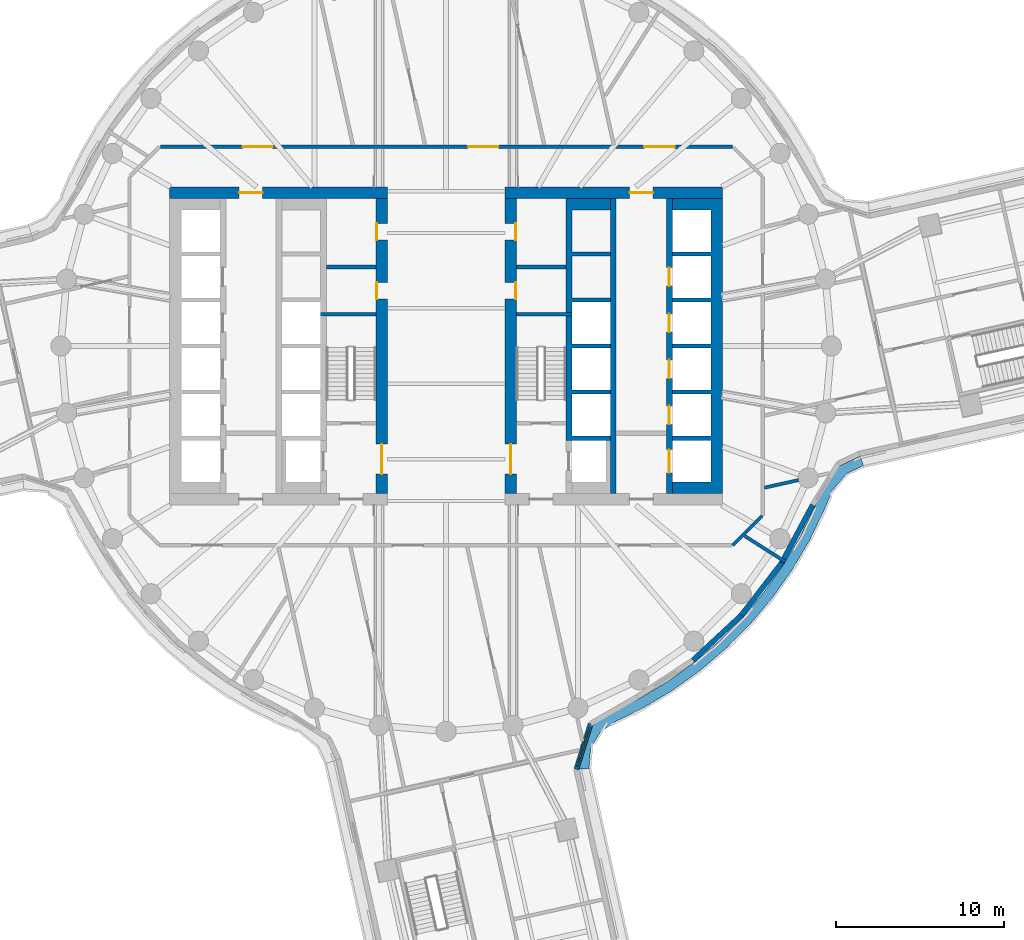
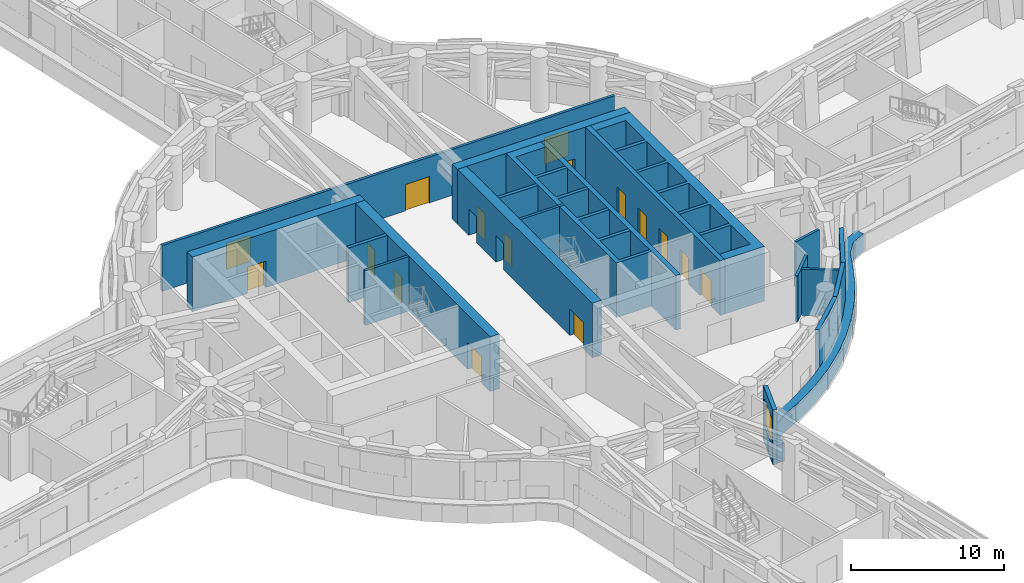
# One storey, part 10 of 22: 20 walls, 16 doors, 1 member, 1 window, 17 openings.
"""IFC4 building model written with IfcOpenShell, lengths in metres."""

import ifcopenshell
import ifcopenshell.guid

model = None  # the IFC model being written
_history = None  # IfcOwnerHistory: only IFC2X3 demands one
_inside = {}  # id of a spatial element -> (the spatial element, [elements in it])
_under = {}  # id of a project, library or spatial element -> (it, [spatial elements below it])
_declared = {}  # id of a project -> (the project, [libraries it declares])
_typed = {}  # id of a type object -> (the type object, [elements of that type])
_made_of = {}  # id of a material, layer set ... -> (it, [elements and type objects made of it])


def new_model(schema):
    """Start an empty IFC model of exactly this schema.

    Asked for "IFC4X3", IfcOpenShell would pick the latest addendum, in which some entities
    have other attributes; the version numbers below select the first issue.
    IFC2X3 requires an IfcOwnerHistory on every rooted entity: one is made here for all.
    """
    global model, _history
    if schema == "IFC4X3":
        model = ifcopenshell.file(schema_version=(4, 3, 0, 0))
    else:
        model = ifcopenshell.file(schema=schema)
    _inside.clear()
    _under.clear()
    _declared.clear()
    _typed.clear()
    _made_of.clear()
    _history = None
    if model.schema == "IFC2X3":
        org = make("IfcOrganization", Name="unknown")
        user = make(
            "IfcPersonAndOrganization",
            ThePerson=make("IfcPerson", FamilyName="unknown"),
            TheOrganization=org,
        )
        app = make(
            "IfcApplication",
            ApplicationDeveloper=org,
            Version="unknown",
            ApplicationFullName="unknown",
            ApplicationIdentifier="unknown",
        )
        _history = make(
            "IfcOwnerHistory",
            OwningUser=user,
            OwningApplication=app,
            ChangeAction="ADDED",
            CreationDate=0,
        )
    return model


def make(cls, **values):
    """One entity of the class cls with the attributes given. An attribute that is None is left unset."""
    return model.create_entity(
        cls, **{name: value for name, value in values.items() if value is not None}
    )


def rooted(cls, **values):
    """An entity with a GlobalId (a new one), such as an element, a storey or a relation."""
    return make(cls, GlobalId=ifcopenshell.guid.new(), OwnerHistory=_history, **values)


def si_unit(unit_type, name, prefix=None):
    """IfcSIUnit, for example si_unit("LENGTHUNIT", "METRE", prefix="MILLI")."""
    return make("IfcSIUnit", UnitType=unit_type, Prefix=prefix, Name=name)


def assignment(units):
    """IfcUnitAssignment: the units of a project."""
    return None if units is None else make("IfcUnitAssignment", Units=units)


def point(xyz):
    """IfcCartesianPoint."""
    return None if xyz is None else make("IfcCartesianPoint", Coordinates=xyz)


def direction(xyz):
    """IfcDirection."""
    return None if xyz is None else make("IfcDirection", DirectionRatios=xyz)


def frame(location, z_axis=None, x_axis=None):
    """IfcAxis2Placement3D, a coordinate frame: its origin and axes. An axis left out is left unset."""
    return make(
        "IfcAxis2Placement3D",
        Location=point(location),
        Axis=direction(z_axis),
        RefDirection=direction(x_axis),
    )


def frame_2d(location, x_axis=None):
    """IfcAxis2Placement2D, a coordinate frame in the plane: its origin and x axis."""
    return make(
        "IfcAxis2Placement2D", Location=point(location), RefDirection=direction(x_axis)
    )


def origin():
    """The frame at (0, 0, 0) with its axes left unset."""
    return frame((0.0, 0.0, 0.0))


def place(relative_to, where):
    """IfcLocalPlacement: puts the frame where relative to a parent placement (None: the world)."""
    return make(
        "IfcLocalPlacement", PlacementRelTo=relative_to, RelativePlacement=where
    )


def context(
    kind, dimensions, precision=None, world=None, true_north=None, identifier=None
):
    """IfcGeometricRepresentationContext, for example the 3D "Model" context."""
    return make(
        "IfcGeometricRepresentationContext",
        ContextIdentifier=identifier,
        ContextType=kind,
        CoordinateSpaceDimension=dimensions,
        Precision=precision,
        WorldCoordinateSystem=world,
        TrueNorth=true_north,
    )


def subcontext(parent, identifier, kind, view, scale=None):
    """IfcGeometricRepresentationSubContext, for example "Body" below "Model"."""
    return make(
        "IfcGeometricRepresentationSubContext",
        ContextIdentifier=identifier,
        ContextType=kind,
        ParentContext=parent,
        TargetScale=scale,
        TargetView=view,
    )


def project(units=None, contexts=None):
    """IfcProject with its units and contexts."""
    return rooted(
        "IfcProject",
        Name="project",
        RepresentationContexts=contexts,
        UnitsInContext=assignment(units),
    )


def spatial(cls, under=None, at=None, **own):
    """A site, building, storey or space (cls), placed at a placement, below another one or the project."""
    s = rooted(cls, ObjectPlacement=at, **own)
    if under is not None:
        _under.setdefault(under.id(), (under, []))[1].append(s)
    return s


def polyline(points):
    """IfcPolyline through the points."""
    return make("IfcPolyline", Points=[point(p) for p in points])


def profile(cls, at=None, kind="AREA", **sizes):
    """A parametric profile (cls). Its sizes go by their IFC names, for example OverallWidth=200.0."""
    return make(cls, ProfileType=kind, Position=at, **sizes)


def rectangle(**sizes):
    """IfcRectangleProfileDef."""
    return profile("IfcRectangleProfileDef", **sizes)


def outline(outer, holes=None, kind="AREA"):
    """IfcArbitraryClosedProfileDef: a profile drawn as a closed curve; with holes, ...WithVoids."""
    if holes is None:
        return make("IfcArbitraryClosedProfileDef", ProfileType=kind, OuterCurve=outer)
    return make(
        "IfcArbitraryProfileDefWithVoids",
        ProfileType=kind,
        OuterCurve=outer,
        InnerCurves=holes,
    )


def extrude(swept, where, along, depth):
    """IfcExtrudedAreaSolid: the profile swept, set in the frame where, extruded along a direction by depth."""
    return make(
        "IfcExtrudedAreaSolid",
        SweptArea=swept,
        Position=where,
        ExtrudedDirection=direction(along),
        Depth=depth,
    )


def shape(context_of_items, identifier, shape_type, items):
    """IfcShapeRepresentation: the items that make up one representation, for example the "Body"."""
    return make(
        "IfcShapeRepresentation",
        ContextOfItems=context_of_items,
        RepresentationIdentifier=identifier,
        RepresentationType=shape_type,
        Items=items,
    )


def material(Name=None, Category=None):
    """IfcMaterial."""
    return make("IfcMaterial", Name=Name, Category=Category)


def layer(
    of_material, thickness, ventilated=None, Name=None, Category=None, Priority=None
):
    """IfcMaterialLayer: one layer of a wall or slab, of a material (None: an air gap)."""
    return make(
        "IfcMaterialLayer",
        Material=of_material,
        LayerThickness=thickness,
        IsVentilated=ventilated,
        Name=Name,
        Category=Category,
        Priority=Priority,
    )


def layer_set(layers, Name=None):
    """IfcMaterialLayerSet."""
    return make("IfcMaterialLayerSet", MaterialLayers=layers, LayerSetName=Name)


def made_of(thing, what):
    """Note that an element or type object is made of a material, layer set ...; save() writes the relation."""
    if what is not None:
        _made_of.setdefault(what.id(), (what, []))[1].append(thing)
    return thing


def type_object(cls, material=None, **own):
    """A type object (cls), such as IfcWallType, which elements share."""
    return made_of(rooted(cls, **own), material)


def element(
    cls,
    number,
    at=None,
    inside=None,
    cuts=None,
    type_object=None,
    material=None,
    context=None,
    identifier="Body",
    shape_type=None,
    held_by="IfcProductDefinitionShape",
    body=None,
    shapes=None,
    **own,
):
    """One element of the class cls, such as IfcWall. Its Tag is "e" and its number.

    at: its placement. inside: the storey or other place that contains it. cuts: it is an
    opening in that element (IfcRelVoidsElement). A single representation is given by context,
    identifier, shape_type and body (its items); several are given by shapes. held_by: the class
    of the entity that holds the representations. save() writes the other relations.
    """
    e = rooted(cls, Tag="e%d" % number, ObjectPlacement=at, **own)
    if body is not None:
        shapes = [shape(context, identifier, shape_type, body)]
    if shapes is not None:
        e.Representation = make(held_by, Representations=shapes)
    if inside is not None:
        _inside.setdefault(inside.id(), (inside, []))[1].append(e)
    if cuts is not None:
        rooted(
            "IfcRelVoidsElement", RelatingBuildingElement=cuts, RelatedOpeningElement=e
        )
    if type_object is not None:
        _typed.setdefault(type_object.id(), (type_object, []))[1].append(e)
    return made_of(e, material)


def fill(opening, filler):
    """IfcRelFillsElement: the door or window that sits in an opening."""
    return rooted(
        "IfcRelFillsElement",
        RelatingOpeningElement=opening,
        RelatedBuildingElement=filler,
    )


def aggregate(whole, parts):
    """IfcRelAggregates: a whole, such as a stair, and the parts it consists of."""
    return rooted("IfcRelAggregates", RelatingObject=whole, RelatedObjects=parts)


def save(model, path):
    """Write the relations noted so far, then the file.

    IfcRelAggregates (storeys below a building ...), IfcRelContainedInSpatialStructure (elements
    in a storey), IfcRelDefinesByType, IfcRelAssociatesMaterial and IfcRelDeclares: one each for
    every whole, place, type object, material and project.
    """
    for whole, parts in _under.values():
        aggregate(whole, parts)
    for where, things in _inside.values():
        rooted(
            "IfcRelContainedInSpatialStructure",
            RelatedElements=things,
            RelatingStructure=where,
        )
    for kind, things in _typed.values():
        rooted("IfcRelDefinesByType", RelatedObjects=things, RelatingType=kind)
    for what, things in _made_of.values():
        rooted("IfcRelAssociatesMaterial", RelatedObjects=things, RelatingMaterial=what)
    for by, libraries in _declared.values():
        rooted("IfcRelDeclares", RelatingContext=by, RelatedDefinitions=libraries)
    model.write(path)


model = new_model("IFC4")

# Units and contexts
model_context = context("Model", 3, precision=1e-05, world=origin(), true_north=direction((0.0, 1.0)))
body_context = subcontext(model_context, "Body", "Model", "MODEL_VIEW")
ifc_project = project(units=[si_unit("LENGTHUNIT", "METRE"), si_unit("AREAUNIT", "SQUARE_METRE"), si_unit("VOLUMEUNIT", "CUBIC_METRE"), si_unit("PLANEANGLEUNIT", "RADIAN"), si_unit("MASSUNIT", "GRAM", prefix="KILO")], contexts=[model_context])

# Member
ifc_material_1 = material(Name="Aluminium and insulated spandrel panel", Category="aluminium")
member_type = type_object("IfcMemberType", Name="Floor-edge blade transom", PredefinedType="USERDEFINED", material=ifc_material_1)
site_placement = place(None, origin())
building_placement = place(site_placement, origin())
storey_placement = place(building_placement, frame((0.0, 0.0, 79.0)))
member_placement = place(storey_placement, origin())
member = element("IfcMember", 1, at=member_placement, type_object=member_type, Name="CWT-L18-06", ObjectType="TRANSOM", PredefinedType="USERDEFINED", context=body_context, shape_type="SweptSolid", body=[
    extrude(outline(polyline([(7.92236328125, -25.2578125), (8.03955078125, -23.802978515625), (8.73681640625, -22.65380859375), (9.796142578125, -21.902587890625), (11.511474609375, -21.054443359375), (13.2109375, -20.031982421875), (14.820068359375, -18.87255859375), (16.327880859375, -17.584228515625), (17.72412109375, -16.17578125), (18.99951171875, -14.656982421875), (20.14501953125, -13.0380859375), (21.15283203125, -11.329833984375), (22.01611328125, -9.54443359375), (22.52099609375, -8.33203125), (23.512451171875, -7.135009765625), (24.71337890625, -6.567626953125), (24.9091796875, -7.138671875), (23.889404296875, -7.62060546875), (23.04052734375, -8.645751953125), (22.5634765625, -9.79052734375), (21.68212890625, -11.613525390625), (20.64892578125, -13.3642578125), (19.474853515625, -15.023681640625), (18.167724609375, -16.580810546875), (16.736572265625, -18.0244140625), (15.19091796875, -19.344970703125), (13.54150390625, -20.533203125), (11.799560546875, -21.581298828125), (10.1044921875, -22.41943359375), (9.185302734375, -23.0712890625), (8.626220703125, -23.992919921875), (8.527587890625, -25.21630859375), (7.92236328125, -25.2578125)])), origin(), (0.0, 0.0, 1.0), 1.39990234375),
])

# Site, building, storey
site = spatial("IfcSite", under=ifc_project, at=site_placement, CompositionType="ELEMENT")
building = spatial("IfcBuilding", under=site, at=building_placement, Name="Tamarind Cross Interchange Tower", CompositionType="ELEMENT")
storey = spatial("IfcBuildingStorey", under=building, at=storey_placement, Name="L18", CompositionType="ELEMENT", Elevation=79.0)

# Wall, opening, door
ifc_material_2 = material(Name="Concrete C80", Category="concrete")
ifc_layer_1 = layer(ifc_material_2, 0.699951171875)
ifc_layer_set_1 = layer_set([ifc_layer_1], Name="Concrete C80")
wall_type_1 = type_object("IfcWallType", Name="Core wall 700 mm Concrete C80", PredefinedType="SHEAR", material=ifc_layer_set_1)
wall_1_placement = place(storey_placement, frame((-16.5, 9.14990234375, 0.0), z_axis=(0.0, 0.0, 1.0), x_axis=(1.0, 0.0, 0.0)))
wall_1 = element("IfcWall", 2, at=wall_1_placement, inside=storey, type_object=wall_type_1, Name="Core wall CWL-L18-W-NE", PredefinedType="SHEAR", context=body_context, shape_type="SweptSolid", body=[
    extrude(rectangle(XDim=13.0, YDim=0.699951171875, at=frame_2d((6.5, 0.0))), origin(), (0.0, 0.0, 1.0), 4.360107421875),
])
opening_1_placement = place(wall_1_placement, frame((4.14990234375, 0.0, 0.0)))
opening_1 = element("IfcOpeningElement", 3, at=opening_1_placement, cuts=wall_1, Name="Opening DCW31", PredefinedType="OPENING", context=body_context, shape_type="SweptSolid", body=[
    extrude(rectangle(XDim=1.39990234375, YDim=2.10009765625, at=frame_2d((0.699951171875, 1.050048828125))), frame((0.0, 0.35986328125, 0.0), z_axis=(0.0, -1.0, 0.0), x_axis=(1.0, 0.0, 0.0)), (0.0, 0.0, 1.0), 0.719970703125),
])
ifc_material_3 = material(Name="Steel, fire-resisting", Category="steel")
door_type_1 = type_object("IfcDoorType", Name="Core fire door 1400 x 2100 FD90", OperationType="SINGLE_SWING_LEFT", PredefinedType="DOOR", material=ifc_material_3)
door_1_placement = place(opening_1_placement, origin())
door_1 = element("IfcDoor", 4, at=door_1_placement, inside=storey, type_object=door_type_1, Name="L18 lift hall exit door", OperationType="SINGLE_SWING_LEFT", OverallHeight=2.10009765625, OverallWidth=1.39990234375, PredefinedType="DOOR", context=body_context, shape_type="SweptSolid", body=[
    extrude(rectangle(XDim=1.39990234375, YDim=2.10009765625, at=frame_2d((0.699951171875, 1.050048828125))), frame((0.0, 0.02490234375, 0.0), z_axis=(0.0, -1.0, 0.0), x_axis=(1.0, 0.0, 0.0)), (0.0, 0.0, 1.0), 0.050048828125),
])
fill(opening_1, door_1)

# Wall, openings, doors
wall_2_placement = place(storey_placement, frame((-3.85009765625, -8.800048828125, 0.0), z_axis=(0.0, 0.0, 1.0), x_axis=(0.0, 1.0, 0.0)))
wall_2 = element("IfcWall", 5, at=wall_2_placement, inside=storey, type_object=wall_type_1, Name="Core wall CWL-L18-W-IN", PredefinedType="SHEAR", context=body_context, shape_type="SweptSolid", body=[
    extrude(rectangle(XDim=17.60009765625, YDim=0.699951171875, at=frame_2d((8.800048828125, 0.0))), origin(), (0.0, 0.0, 1.0), 4.360107421875),
])
opening_2_placement = place(wall_2_placement, frame((1.14990234375, 0.0, 0.0)))
opening_2 = element("IfcOpeningElement", 6, at=opening_2_placement, cuts=wall_2, Name="Opening DCW4", PredefinedType="OPENING", context=body_context, shape_type="SweptSolid", body=[
    extrude(rectangle(XDim=1.800048828125, YDim=2.10009765625, at=frame_2d((0.89990234375, 1.050048828125))), frame((0.0, 0.35986328125, 0.0), z_axis=(0.0, -1.0, 0.0), x_axis=(1.0, 0.0, 0.0)), (0.0, 0.0, 1.0), 0.719970703125),
])
opening_3_placement = place(wall_2_placement, frame((11.597412109375, 0.0, 0.0)))
opening_3 = element("IfcOpeningElement", 7, at=opening_3_placement, cuts=wall_2, Name="Opening DCW5", PredefinedType="OPENING", context=body_context, shape_type="SweptSolid", body=[
    extrude(rectangle(XDim=1.0, YDim=2.10009765625, at=frame_2d((0.5, 1.050048828125))), frame((0.0, 0.35986328125, 0.0), z_axis=(0.0, -1.0, 0.0), x_axis=(1.0, 0.0, 0.0)), (0.0, 0.0, 1.0), 0.719970703125),
])
opening_4_placement = place(wall_2_placement, frame((15.12255859375, 0.0, 0.0)))
opening_4 = element("IfcOpeningElement", 8, at=opening_4_placement, cuts=wall_2, Name="Opening DCW5", PredefinedType="OPENING", context=body_context, shape_type="SweptSolid", body=[
    extrude(rectangle(XDim=1.0, YDim=2.10009765625, at=frame_2d((0.5, 1.050048828125))), frame((0.0, 0.35986328125, 0.0), z_axis=(0.0, -1.0, 0.0), x_axis=(1.0, 0.0, 0.0)), (0.0, 0.0, 1.0), 0.719970703125),
])
door_type_2 = type_object("IfcDoorType", Name="Core fire door 1000 x 2100 FD90", OperationType="SINGLE_SWING_LEFT", PredefinedType="DOOR", material=ifc_material_3)
door_2_placement = place(opening_3_placement, origin())
door_2 = element("IfcDoor", 9, at=door_2_placement, inside=storey, type_object=door_type_2, Name="L18 plant store door", OperationType="SINGLE_SWING_LEFT", OverallHeight=2.10009765625, OverallWidth=1.0, PredefinedType="DOOR", context=body_context, shape_type="SweptSolid", body=[
    extrude(rectangle(XDim=1.0, YDim=2.10009765625, at=frame_2d((0.5, 1.050048828125))), frame((0.0, 0.3251953125, 0.0), z_axis=(0.0, -1.0, 0.0), x_axis=(1.0, 0.0, 0.0)), (0.0, 0.0, 1.0), 0.050048828125),
])
fill(opening_3, door_2)
door_3_placement = place(opening_4_placement, origin())
door_3 = element("IfcDoor", 10, at=door_3_placement, inside=storey, type_object=door_type_2, Name="L18 break tank and pump room door", OperationType="SINGLE_SWING_LEFT", OverallHeight=2.10009765625, OverallWidth=1.0, PredefinedType="DOOR", context=body_context, shape_type="SweptSolid", body=[
    extrude(rectangle(XDim=1.0, YDim=2.10009765625, at=frame_2d((0.5, 1.050048828125))), frame((0.0, 0.3251953125, 0.0), z_axis=(0.0, -1.0, 0.0), x_axis=(1.0, 0.0, 0.0)), (0.0, 0.0, 1.0), 0.050048828125),
])
fill(opening_4, door_3)
door_type_3 = type_object("IfcDoorType", Name="Core fire door 1800 x 2100 FD90", OperationType="SINGLE_SWING_LEFT", PredefinedType="DOOR", material=ifc_material_3)
door_4_placement = place(opening_2_placement, origin())
door_4 = element("IfcDoor", 11, at=door_4_placement, inside=storey, type_object=door_type_3, Name="L18 firefighting lobby door", OperationType="SINGLE_SWING_LEFT", OverallHeight=2.10009765625, OverallWidth=1.800048828125, PredefinedType="DOOR", context=body_context, shape_type="SweptSolid", body=[
    extrude(rectangle(XDim=1.800048828125, YDim=2.10009765625, at=frame_2d((0.89990234375, 1.050048828125))), frame((0.0, 0.02490234375, 0.0), z_axis=(0.0, -1.0, 0.0), x_axis=(1.0, 0.0, 0.0)), (0.0, 0.0, 1.0), 0.050048828125),
])
fill(opening_2, door_4)

# Wall
wall_3_placement = place(storey_placement, origin())
element("IfcWall", 12, at=wall_3_placement, inside=storey, type_object=wall_type_1, Name="Core wall CWL-L18-E-A", PredefinedType="SHEAR", context=body_context, shape_type="SweptSolid", body=[
    extrude(outline(polyline([(13.5, -8.800048828125), (15.800048828125, -8.800048828125), (16.5, -8.800048828125), (16.5, 8.800048828125), (15.800048828125, 8.800048828125), (13.5, 8.800048828125), (13.5, 8.125), (15.800048828125, 8.125), (15.800048828125, 5.625), (13.5, 5.625), (13.5, 5.375), (15.800048828125, 5.375), (15.800048828125, 2.875), (13.5, 2.875), (13.5, 2.625), (15.800048828125, 2.625), (15.800048828125, 0.125), (13.5, 0.125), (13.5, -0.125), (15.800048828125, -0.125), (15.800048828125, -2.625), (13.5, -2.625), (13.5, -2.875), (15.800048828125, -2.875), (15.800048828125, -5.375), (13.5, -5.375), (13.5, -5.625), (15.800048828125, -5.625), (15.800048828125, -8.125), (13.5, -8.125), (13.5, -8.800048828125)])), origin(), (0.0, 0.0, 1.0), 4.360107421875),
])

# Wall, opening, door
wall_4_placement = place(storey_placement, frame((16.5, 9.14990234375, 0.0), z_axis=(0.0, 0.0, 1.0), x_axis=(-1.0, 0.0, 0.0)))
wall_4 = element("IfcWall", 13, at=wall_4_placement, inside=storey, type_object=wall_type_1, Name="Core wall CWL-L18-E-NE", PredefinedType="SHEAR", context=body_context, shape_type="SweptSolid", body=[
    extrude(rectangle(XDim=13.0, YDim=0.699951171875, at=frame_2d((6.5, 0.0))), origin(), (0.0, 0.0, 1.0), 4.360107421875),
])
opening_5_placement = place(wall_4_placement, frame((4.14990234375, 0.0, 0.0)))
opening_5 = element("IfcOpeningElement", 14, at=opening_5_placement, cuts=wall_4, Name="Opening DCE31", PredefinedType="OPENING", context=body_context, shape_type="SweptSolid", body=[
    extrude(rectangle(XDim=1.39990234375, YDim=2.10009765625, at=frame_2d((0.699951171875, 1.050048828125))), frame((0.0, 0.35986328125, 0.0), z_axis=(0.0, -1.0, 0.0), x_axis=(1.0, 0.0, 0.0)), (0.0, 0.0, 1.0), 0.719970703125),
])
door_5_placement = place(opening_5_placement, origin())
door_5 = element("IfcDoor", 15, at=door_5_placement, inside=storey, type_object=door_type_1, Name="L18 lift hall exit door", OperationType="SINGLE_SWING_LEFT", OverallHeight=2.10009765625, OverallWidth=1.39990234375, PredefinedType="DOOR", context=body_context, shape_type="SweptSolid", body=[
    extrude(rectangle(XDim=1.39990234375, YDim=2.10009765625, at=frame_2d((0.699951171875, 1.050048828125))), frame((0.0, 0.02490234375, 0.0), z_axis=(0.0, -1.0, 0.0), x_axis=(1.0, 0.0, 0.0)), (0.0, 0.0, 1.0), 0.050048828125),
])
fill(opening_5, door_5)

# Wall, openings, doors
wall_5_placement = place(storey_placement, frame((3.85009765625, -8.800048828125, 0.0), z_axis=(0.0, 0.0, 1.0), x_axis=(0.0, 1.0, 0.0)))
wall_5 = element("IfcWall", 16, at=wall_5_placement, inside=storey, type_object=wall_type_1, Name="Core wall CWL-L18-E-IN", PredefinedType="SHEAR", context=body_context, shape_type="SweptSolid", body=[
    extrude(rectangle(XDim=17.60009765625, YDim=0.699951171875, at=frame_2d((8.800048828125, 0.0))), origin(), (0.0, 0.0, 1.0), 4.360107421875),
])
opening_6_placement = place(wall_5_placement, frame((1.14990234375, 0.0, 0.0)))
opening_6 = element("IfcOpeningElement", 17, at=opening_6_placement, cuts=wall_5, Name="Opening DCE4", PredefinedType="OPENING", context=body_context, shape_type="SweptSolid", body=[
    extrude(rectangle(XDim=1.800048828125, YDim=2.10009765625, at=frame_2d((0.89990234375, 1.050048828125))), frame((0.0, 0.35986328125, 0.0), z_axis=(0.0, -1.0, 0.0), x_axis=(1.0, 0.0, 0.0)), (0.0, 0.0, 1.0), 0.719970703125),
])
opening_7_placement = place(wall_5_placement, frame((11.597412109375, 0.0, 0.0)))
opening_7 = element("IfcOpeningElement", 18, at=opening_7_placement, cuts=wall_5, Name="Opening DCE5", PredefinedType="OPENING", context=body_context, shape_type="SweptSolid", body=[
    extrude(rectangle(XDim=1.0, YDim=2.10009765625, at=frame_2d((0.5, 1.050048828125))), frame((0.0, 0.35986328125, 0.0), z_axis=(0.0, -1.0, 0.0), x_axis=(1.0, 0.0, 0.0)), (0.0, 0.0, 1.0), 0.719970703125),
])
opening_8_placement = place(wall_5_placement, frame((15.12255859375, 0.0, 0.0)))
opening_8 = element("IfcOpeningElement", 19, at=opening_8_placement, cuts=wall_5, Name="Opening DCE5", PredefinedType="OPENING", context=body_context, shape_type="SweptSolid", body=[
    extrude(rectangle(XDim=1.0, YDim=2.10009765625, at=frame_2d((0.5, 1.050048828125))), frame((0.0, 0.35986328125, 0.0), z_axis=(0.0, -1.0, 0.0), x_axis=(1.0, 0.0, 0.0)), (0.0, 0.0, 1.0), 0.719970703125),
])
door_6_placement = place(opening_7_placement, origin())
door_6 = element("IfcDoor", 20, at=door_6_placement, inside=storey, type_object=door_type_2, Name="L18 plant store door", OperationType="SINGLE_SWING_LEFT", OverallHeight=2.10009765625, OverallWidth=1.0, PredefinedType="DOOR", context=body_context, shape_type="SweptSolid", body=[
    extrude(rectangle(XDim=1.0, YDim=2.10009765625, at=frame_2d((0.5, 1.050048828125))), frame((0.0, -0.27490234375, 0.0), z_axis=(0.0, -1.0, 0.0), x_axis=(1.0, 0.0, 0.0)), (0.0, 0.0, 1.0), 0.050048828125),
])
fill(opening_7, door_6)
door_7_placement = place(opening_8_placement, origin())
door_7 = element("IfcDoor", 21, at=door_7_placement, inside=storey, type_object=door_type_2, Name="L18 pump store door", OperationType="SINGLE_SWING_LEFT", OverallHeight=2.10009765625, OverallWidth=1.0, PredefinedType="DOOR", context=body_context, shape_type="SweptSolid", body=[
    extrude(rectangle(XDim=1.0, YDim=2.10009765625, at=frame_2d((0.5, 1.050048828125))), frame((0.0, -0.27490234375, 0.0), z_axis=(0.0, -1.0, 0.0), x_axis=(1.0, 0.0, 0.0)), (0.0, 0.0, 1.0), 0.050048828125),
])
fill(opening_8, door_7)
door_8_placement = place(opening_6_placement, origin())
door_8 = element("IfcDoor", 22, at=door_8_placement, inside=storey, type_object=door_type_3, Name="L18 firefighting lobby door", OperationType="SINGLE_SWING_LEFT", OverallHeight=2.10009765625, OverallWidth=1.800048828125, PredefinedType="DOOR", context=body_context, shape_type="SweptSolid", body=[
    extrude(rectangle(XDim=1.800048828125, YDim=2.10009765625, at=frame_2d((0.89990234375, 1.050048828125))), frame((0.0, 0.02490234375, 0.0), z_axis=(0.0, -1.0, 0.0), x_axis=(1.0, 0.0, 0.0)), (0.0, 0.0, 1.0), 0.050048828125),
])
fill(opening_6, door_8)

# Walls
ifc_layer_2 = layer(ifc_material_2, 0.199951171875)
ifc_layer_set_2 = layer_set([ifc_layer_2], Name="Concrete C80")
wall_type_2 = type_object("IfcWallType", Name="Core web wall 200 mm Concrete C80", PredefinedType="SHEAR", material=ifc_layer_set_2)
for number, where, z_axis, x_axis, name in (
    (23, (-7.5, 1.89990234375, 0.0), (0.0, 0.0, 1.0), (1.0, 0.0, 0.0), "Core wall CWL-L18-W-BD"),
    (24, (7.5, 1.89990234375, 0.0), (0.0, 0.0, 1.0), (-1.0, 0.0, 0.0), "Core wall CWL-L18-E-BD"),
):
    element("IfcWall", number, at=place(storey_placement, frame(where, z_axis=z_axis, x_axis=x_axis)), inside=storey, type_object=wall_type_2, Name=name, PredefinedType="SHEAR", context=body_context, shape_type="SweptSolid", body=[
        extrude(rectangle(XDim=3.300048828125, YDim=0.199951171875, at=frame_2d((1.64990234375, 0.0))), origin(), (0.0, 0.0, 1.0), 4.360107421875),
    ])
ifc_layer_3 = layer(ifc_material_2, 0.35009765625)
ifc_layer_set_3 = layer_set([ifc_layer_3], Name="Concrete C80")
wall_type_3 = type_object("IfcWallType", Name="Core web wall 350 mm Concrete C80", PredefinedType="SHEAR", material=ifc_layer_set_3)
wall_6_placement = place(storey_placement, origin())
element("IfcWall", 25, at=wall_6_placement, inside=storey, type_object=wall_type_3, Name="Core wall CWL-L18-E-BN", PredefinedType="SHEAR", context=body_context, shape_type="SweptSolid", body=[
    extrude(outline(polyline([(9.800048828125, -5.375), (7.5, -5.375), (7.5, -2.875), (9.800048828125, -2.875), (9.800048828125, -2.625), (7.5, -2.625), (7.5, -0.125), (9.800048828125, -0.125), (9.800048828125, 0.125), (7.5, 0.125), (7.5, 2.625), (9.800048828125, 2.625), (9.800048828125, 2.875), (7.5, 2.875), (7.5, 5.375), (9.800048828125, 5.375), (9.800048828125, 5.625), (7.5, 5.625), (7.5, 8.125), (9.800048828125, 8.125), (9.800048828125, 8.800048828125), (7.5, 8.800048828125), (7.14990234375, 8.800048828125), (7.14990234375, -5.625), (7.5, -5.625), (9.800048828125, -5.625), (9.800048828125, -5.375)])), origin(), (0.0, 0.0, 1.0), 4.360107421875),
])

# Wall, openings, doors
wall_7_placement = place(storey_placement, frame((13.324951171875, -8.800048828125, 0.0), z_axis=(0.0, 0.0, 1.0), x_axis=(0.0, 1.0, 0.0)))
wall_7 = element("IfcWall", 26, at=wall_7_placement, inside=storey, type_object=wall_type_3, Name="Core wall CWL-L18-E-LA", PredefinedType="SHEAR", context=body_context, shape_type="SweptSolid", body=[
    extrude(rectangle(XDim=17.60009765625, YDim=0.35009765625, at=frame_2d((8.800048828125, 0.0))), origin(), (0.0, 0.0, 1.0), 4.360107421875),
])
opening_9_placement = place(wall_7_placement, frame((1.22509765625, 0.0, 0.0)))
opening_9 = element("IfcOpeningElement", 27, at=opening_9_placement, cuts=wall_7, Name="Opening LD13L18", PredefinedType="OPENING", context=body_context, shape_type="SweptSolid", body=[
    extrude(rectangle(XDim=1.39990234375, YDim=2.10009765625, at=frame_2d((0.699951171875, 1.050048828125))), frame((0.0, 0.18505859375, 0.0), z_axis=(0.0, -1.0, 0.0), x_axis=(1.0, 0.0, 0.0)), (0.0, 0.0, 1.0), 0.3701171875),
])
opening_10_placement = place(wall_7_placement, frame((4.125, 0.0, 0.0)))
opening_10 = element("IfcOpeningElement", 28, at=opening_10_placement, cuts=wall_7, Name="Opening LD14L18", PredefinedType="OPENING", context=body_context, shape_type="SweptSolid", body=[
    extrude(rectangle(XDim=1.10009765625, YDim=2.10009765625, at=frame_2d((0.550048828125, 1.050048828125))), frame((0.0, 0.18505859375, 0.0), z_axis=(0.0, -1.0, 0.0), x_axis=(1.0, 0.0, 0.0)), (0.0, 0.0, 1.0), 0.3701171875),
])
opening_11_placement = place(wall_7_placement, frame((6.875, 0.0, 0.0)))
opening_11 = element("IfcOpeningElement", 29, at=opening_11_placement, cuts=wall_7, Name="Opening LD15L18", PredefinedType="OPENING", context=body_context, shape_type="SweptSolid", body=[
    extrude(rectangle(XDim=1.10009765625, YDim=2.10009765625, at=frame_2d((0.550048828125, 1.050048828125))), frame((0.0, 0.18505859375, 0.0), z_axis=(0.0, -1.0, 0.0), x_axis=(1.0, 0.0, 0.0)), (0.0, 0.0, 1.0), 0.3701171875),
])
opening_12_placement = place(wall_7_placement, frame((9.625, 0.0, 0.0)))
opening_12 = element("IfcOpeningElement", 30, at=opening_12_placement, cuts=wall_7, Name="Opening LD16L18", PredefinedType="OPENING", context=body_context, shape_type="SweptSolid", body=[
    extrude(rectangle(XDim=1.10009765625, YDim=2.10009765625, at=frame_2d((0.550048828125, 1.050048828125))), frame((0.0, 0.18505859375, 0.0), z_axis=(0.0, -1.0, 0.0), x_axis=(1.0, 0.0, 0.0)), (0.0, 0.0, 1.0), 0.3701171875),
])
opening_13_placement = place(wall_7_placement, frame((12.375, 0.0, 0.0)))
opening_13 = element("IfcOpeningElement", 31, at=opening_13_placement, cuts=wall_7, Name="Opening LD17L18", PredefinedType="OPENING", context=body_context, shape_type="SweptSolid", body=[
    extrude(rectangle(XDim=1.10009765625, YDim=2.10009765625, at=frame_2d((0.550048828125, 1.050048828125))), frame((0.0, 0.18505859375, 0.0), z_axis=(0.0, -1.0, 0.0), x_axis=(1.0, 0.0, 0.0)), (0.0, 0.0, 1.0), 0.3701171875),
])
ifc_material_4 = material(Name="Stainless steel panel", Category="steel")
door_type_4 = type_object("IfcDoorType", Name="Lift landing door 1100 x 2100 E 120", OperationType="SLIDING_TO_LEFT", PredefinedType="DOOR", material=ifc_material_4)
door_9_placement = place(opening_10_placement, origin())
door_9 = element("IfcDoor", 32, at=door_9_placement, inside=storey, type_object=door_type_4, Name="L18 landing door LF14", OperationType="SLIDING_TO_LEFT", OverallHeight=2.10009765625, OverallWidth=1.10009765625, PredefinedType="DOOR", context=body_context, shape_type="SweptSolid", body=[
    extrude(rectangle(XDim=1.10009765625, YDim=2.10009765625, at=frame_2d((0.550048828125, 1.050048828125))), frame((0.0, 0.02490234375, 0.0), z_axis=(0.0, -1.0, 0.0), x_axis=(1.0, 0.0, 0.0)), (0.0, 0.0, 1.0), 0.050048828125),
])
fill(opening_10, door_9)
door_10_placement = place(opening_11_placement, origin())
door_10 = element("IfcDoor", 33, at=door_10_placement, inside=storey, type_object=door_type_4, Name="L18 landing door LF15", OperationType="SLIDING_TO_LEFT", OverallHeight=2.10009765625, OverallWidth=1.10009765625, PredefinedType="DOOR", context=body_context, shape_type="SweptSolid", body=[
    extrude(rectangle(XDim=1.10009765625, YDim=2.10009765625, at=frame_2d((0.550048828125, 1.050048828125))), frame((0.0, 0.02490234375, 0.0), z_axis=(0.0, -1.0, 0.0), x_axis=(1.0, 0.0, 0.0)), (0.0, 0.0, 1.0), 0.050048828125),
])
fill(opening_11, door_10)
door_11_placement = place(opening_12_placement, origin())
door_11 = element("IfcDoor", 34, at=door_11_placement, inside=storey, type_object=door_type_4, Name="L18 landing door LF16", OperationType="SLIDING_TO_LEFT", OverallHeight=2.10009765625, OverallWidth=1.10009765625, PredefinedType="DOOR", context=body_context, shape_type="SweptSolid", body=[
    extrude(rectangle(XDim=1.10009765625, YDim=2.10009765625, at=frame_2d((0.550048828125, 1.050048828125))), frame((0.0, 0.02490234375, 0.0), z_axis=(0.0, -1.0, 0.0), x_axis=(1.0, 0.0, 0.0)), (0.0, 0.0, 1.0), 0.050048828125),
])
fill(opening_12, door_11)
door_12_placement = place(opening_13_placement, origin())
door_12 = element("IfcDoor", 35, at=door_12_placement, inside=storey, type_object=door_type_4, Name="L18 landing door LF17", OperationType="SLIDING_TO_LEFT", OverallHeight=2.10009765625, OverallWidth=1.10009765625, PredefinedType="DOOR", context=body_context, shape_type="SweptSolid", body=[
    extrude(rectangle(XDim=1.10009765625, YDim=2.10009765625, at=frame_2d((0.550048828125, 1.050048828125))), frame((0.0, 0.02490234375, 0.0), z_axis=(0.0, -1.0, 0.0), x_axis=(1.0, 0.0, 0.0)), (0.0, 0.0, 1.0), 0.050048828125),
])
fill(opening_13, door_12)
door_type_5 = type_object("IfcDoorType", Name="Lift landing door 1400 x 2100 E 120", OperationType="SLIDING_TO_LEFT", PredefinedType="DOOR", material=ifc_material_4)
door_13_placement = place(opening_9_placement, origin())
door_13 = element("IfcDoor", 36, at=door_13_placement, inside=storey, type_object=door_type_5, Name="L18 landing door LF13", OperationType="SLIDING_TO_LEFT", OverallHeight=2.10009765625, OverallWidth=1.39990234375, PredefinedType="DOOR", context=body_context, shape_type="SweptSolid", body=[
    extrude(rectangle(XDim=1.39990234375, YDim=2.10009765625, at=frame_2d((0.699951171875, 1.050048828125))), frame((0.0, 0.02490234375, 0.0), z_axis=(0.0, -1.0, 0.0), x_axis=(1.0, 0.0, 0.0)), (0.0, 0.0, 1.0), 0.050048828125),
])
fill(opening_9, door_13)

# Walls
wall_8_placement = place(storey_placement, frame((9.97509765625, -8.800048828125, 0.0), z_axis=(0.0, 0.0, 1.0), x_axis=(0.0, 1.0, 0.0)))
element("IfcWall", 37, at=wall_8_placement, inside=storey, type_object=wall_type_3, Name="Core wall CWL-L18-E-LB", PredefinedType="SHEAR", context=body_context, shape_type="SweptSolid", body=[
    extrude(rectangle(XDim=17.60009765625, YDim=0.35009765625, at=frame_2d((8.800048828125, 0.0))), origin(), (0.0, 0.0, 1.0), 4.360107421875),
])
ifc_material_5 = material(Name="Gypsum board partition on steel studs", Category="steel")
ifc_layer_4 = layer(ifc_material_5, 0.199951171875)
ifc_layer_set_4 = layer_set([ifc_layer_4], Name="Gypsum board partition on steel studs")
wall_type_4 = type_object("IfcWallType", Name="Partition 200 mm EI 180", PredefinedType="PARTITIONING", material=ifc_layer_set_4)
wall_9_placement = place(storey_placement, frame((17.826171875, -11.33935546875, 0.0), z_axis=(0.0, 0.0, 1.0), x_axis=(0.843541681932, -0.537063712089, 0.0)))
element("IfcWall", 38, at=wall_9_placement, inside=storey, type_object=wall_type_4, Name="Partition L18-033", PredefinedType="PARTITIONING", context=body_context, shape_type="SweptSolid", body=[
    extrude(rectangle(XDim=2.853515625, YDim=0.199951171875, at=frame_2d((1.4267578125, 0.0))), origin(), (0.0, 0.0, 1.0), 3.659912109375),
])

# Wall, openings, doors
wall_10_placement = place(storey_placement, frame((-17.044921875, 11.89990234375, 0.0), z_axis=(0.0, 0.0, 1.0), x_axis=(1.0, 0.0, 0.0)))
wall_10 = element("IfcWall", 39, at=wall_10_placement, inside=storey, type_object=wall_type_4, Name="Partition L18-035", PredefinedType="PARTITIONING", context=body_context, shape_type="SweptSolid", body=[
    extrude(rectangle(XDim=34.14501953125, YDim=0.199951171875, at=frame_2d((17.072509765625, 0.0))), origin(), (0.0, 0.0, 1.0), 3.659912109375),
])
opening_14_placement = place(wall_10_placement, frame((18.35791015625, 0.0, 0.0)))
opening_14 = element("IfcOpeningElement", 40, at=opening_14_placement, cuts=wall_10, Name="Opening D21", PredefinedType="OPENING", context=body_context, shape_type="SweptSolid", body=[
    extrude(rectangle(XDim=1.800048828125, YDim=2.10009765625, at=frame_2d((0.89990234375, 1.050048828125))), frame((0.0, 0.10986328125, 0.0), z_axis=(0.0, -1.0, 0.0), x_axis=(1.0, 0.0, 0.0)), (0.0, 0.0, 1.0), 0.219970703125),
])
opening_15_placement = place(wall_10_placement, frame((28.876953125, 0.0, 0.0)))
opening_15 = element("IfcOpeningElement", 41, at=opening_15_placement, cuts=wall_10, Name="Opening D22", PredefinedType="OPENING", context=body_context, shape_type="SweptSolid", body=[
    extrude(rectangle(XDim=1.800048828125, YDim=2.10009765625, at=frame_2d((0.89990234375, 1.050048828125))), frame((0.0, 0.10986328125, 0.0), z_axis=(0.0, -1.0, 0.0), x_axis=(1.0, 0.0, 0.0)), (0.0, 0.0, 1.0), 0.219970703125),
])
opening_16_placement = place(wall_10_placement, frame((4.89501953125, 0.0, 0.0)))
opening_16 = element("IfcOpeningElement", 42, at=opening_16_placement, cuts=wall_10, Name="Opening D23", PredefinedType="OPENING", context=body_context, shape_type="SweptSolid", body=[
    extrude(rectangle(XDim=1.800048828125, YDim=2.10009765625, at=frame_2d((0.89990234375, 1.050048828125))), frame((0.0, 0.10986328125, 0.0), z_axis=(0.0, -1.0, 0.0), x_axis=(1.0, 0.0, 0.0)), (0.0, 0.0, 1.0), 0.219970703125),
])
ifc_material_6 = material(Name="Fire-resisting door set")
door_type_6 = type_object("IfcDoorType", Name="Interior door 1800 x 2100 FD120S", OperationType="DOUBLE_DOOR_SINGLE_SWING", PredefinedType="DOOR", material=ifc_material_6)
door_14_placement = place(opening_14_placement, frame((1.800048828125, 0.0, 0.0), z_axis=(0.0, 0.0, 1.0), x_axis=(-1.0, 0.0, 0.0)))
door_14 = element("IfcDoor", 43, at=door_14_placement, inside=storey, type_object=door_type_6, Name="Door D21", OperationType="DOUBLE_DOOR_SINGLE_SWING", OverallHeight=2.10009765625, OverallWidth=1.800048828125, PredefinedType="DOOR", context=body_context, shape_type="SweptSolid", body=[
    extrude(rectangle(XDim=1.800048828125, YDim=2.10009765625, at=frame_2d((0.89990234375, 1.050048828125))), frame((0.0, 0.02490234375, 0.0), z_axis=(0.0, -1.0, 0.0), x_axis=(1.0, 0.0, 0.0)), (0.0, 0.0, 1.0), 0.050048828125),
])
fill(opening_14, door_14)
door_15_placement = place(opening_15_placement, origin())
door_15 = element("IfcDoor", 44, at=door_15_placement, inside=storey, type_object=door_type_6, Name="Door D22", OperationType="DOUBLE_DOOR_SINGLE_SWING", OverallHeight=2.10009765625, OverallWidth=1.800048828125, PredefinedType="DOOR", context=body_context, shape_type="SweptSolid", body=[
    extrude(rectangle(XDim=1.800048828125, YDim=2.10009765625, at=frame_2d((0.89990234375, 1.050048828125))), frame((0.0, 0.02490234375, 0.0), z_axis=(0.0, -1.0, 0.0), x_axis=(1.0, 0.0, 0.0)), (0.0, 0.0, 1.0), 0.050048828125),
])
fill(opening_15, door_15)
door_16_placement = place(opening_16_placement, origin())
door_16 = element("IfcDoor", 45, at=door_16_placement, inside=storey, type_object=door_type_6, Name="Door D23", OperationType="DOUBLE_DOOR_SINGLE_SWING", OverallHeight=2.10009765625, OverallWidth=1.800048828125, PredefinedType="DOOR", context=body_context, shape_type="SweptSolid", body=[
    extrude(rectangle(XDim=1.800048828125, YDim=2.10009765625, at=frame_2d((0.89990234375, 1.050048828125))), frame((0.0, 0.02490234375, 0.0), z_axis=(0.0, -1.0, 0.0), x_axis=(1.0, 0.0, 0.0)), (0.0, 0.0, 1.0), 0.050048828125),
])
fill(opening_16, door_16)

# Walls
wall_11_placement = place(storey_placement, frame((19.00244140625, -8.4521484375, 0.0), z_axis=(0.0, 0.0, 1.0), x_axis=(0.976145732889, 0.217116347063, 0.0)))
element("IfcWall", 46, at=wall_11_placement, inside=storey, type_object=wall_type_4, Name="Partition L18-065", PredefinedType="PARTITIONING", context=body_context, shape_type="SweptSolid", body=[
    extrude(rectangle(XDim=2.0859375, YDim=0.199951171875, at=frame_2d((1.04296875, 0.0))), origin(), (0.0, 0.0, 1.0), 3.659912109375),
])
wall_12_placement = place(storey_placement, frame((17.10009765625, -11.89990234375, 0.0), z_axis=(0.0, 0.0, 1.0), x_axis=(0.707106781187, 0.707106781187, 0.0)))
element("IfcWall", 47, at=wall_12_placement, inside=storey, type_object=wall_type_4, Name="Partition L18-070", PredefinedType="PARTITIONING", context=body_context, shape_type="SweptSolid", body=[
    extrude(rectangle(XDim=2.485595703125, YDim=0.199951171875, at=frame_2d((1.24267578125, 0.0))), origin(), (0.0, 0.0, 1.0), 3.659912109375),
])

# Wall, opening, window
ifc_material_7 = material(Name="Precast concrete C40", Category="concrete")
ifc_layer_5 = layer(ifc_material_7, 0.300048828125)
ifc_layer_set_5 = layer_set([ifc_layer_5], Name="Precast concrete C40")
wall_type_5 = type_object("IfcWallType", Name="Plant louvre wall", PredefinedType="SOLIDWALL", material=ifc_layer_set_5)
wall_13_placement = place(storey_placement, frame((7.77099609375, -25.268310546875, 0.0), z_axis=(0.0, 0.0, 1.0), x_axis=(0.299577096006, 0.954072095572, 0.0)))
wall_13 = element("IfcWall", 48, at=wall_13_placement, inside=storey, type_object=wall_type_5, Name="EXW-L18-06-00", PredefinedType="SOLIDWALL", context=body_context, shape_type="SweptSolid", body=[
    extrude(rectangle(XDim=2.849853515625, YDim=0.300048828125, at=frame_2d((1.4248046875, 0.0))), origin(), (0.0, 0.0, 1.0), 4.360107421875),
])
opening_17_placement = place(wall_13_placement, frame((0.199951171875, 0.0, 1.39990234375)))
opening_17 = element("IfcOpeningElement", 49, at=opening_17_placement, cuts=wall_13, Name="Opening W3", PredefinedType="OPENING", context=body_context, shape_type="SweptSolid", body=[
    extrude(rectangle(XDim=2.39990234375, YDim=2.10009765625, at=frame_2d((1.199951171875, 1.050048828125))), frame((0.0, 0.159912109375, 0.0), z_axis=(0.0, -1.0, 0.0), x_axis=(1.0, 0.0, 0.0)), (0.0, 0.0, 1.0), 0.320068359375),
])
ifc_material_8 = material(Name="Aluminium and fire-resisting glass", Category="aluminium")
window_type = type_object("IfcWindowType", Name="Refuge rescue window", PartitioningType="DOUBLE_PANEL_VERTICAL", PredefinedType="WINDOW", material=ifc_material_8)
window_placement = place(opening_17_placement, origin())
window = element("IfcWindow", 50, at=window_placement, inside=storey, type_object=window_type, Name="RSW-L18-06-10", OverallHeight=2.10009765625, OverallWidth=2.39990234375, PartitioningType="SINGLE_PANEL", PredefinedType="WINDOW", context=body_context, shape_type="SweptSolid", body=[
    extrude(rectangle(XDim=2.39990234375, YDim=2.10009765625, at=frame_2d((1.199951171875, 1.050048828125))), frame((0.0, 0.030029296875, 0.0), z_axis=(0.0, -1.0, 0.0), x_axis=(1.0, 0.0, 0.0)), (0.0, 0.0, 1.0), 0.06005859375),
])
fill(opening_17, window)

aggregate(wall_13, [member])

# Walls
wall_14_placement = place(storey_placement, frame((14.727294921875, -18.75439453125, 0.0), z_axis=(0.0, 0.0, 1.0), x_axis=(0.732813362883, 0.680429698926, 0.0)))
element("IfcWall", 51, at=wall_14_placement, inside=storey, type_object=wall_type_5, Name="EXW-L18-06-03", PredefinedType="SOLIDWALL", context=body_context, shape_type="SweptSolid", body=[
    extrude(rectangle(XDim=3.938232421875, YDim=0.300048828125, at=frame_2d((1.96923828125, 0.0))), origin(), (0.0, 0.0, 1.0), 4.360107421875),
])
wall_15_placement = place(storey_placement, frame((17.61328125, -16.07470703125, 0.0), z_axis=(0.0, 0.0, 1.0), x_axis=(0.610785688376, 0.79179596038, 0.0)))
element("IfcWall", 52, at=wall_15_placement, inside=storey, type_object=wall_type_5, Name="EXW-L18-06-04", PredefinedType="SOLIDWALL", context=body_context, shape_type="SweptSolid", body=[
    extrude(rectangle(XDim=3.9384765625, YDim=0.300048828125, at=frame_2d((1.96923828125, 0.0))), origin(), (0.0, 0.0, 1.0), 4.360107421875),
])
wall_16_placement = place(storey_placement, frame((20.018798828125, -12.956298828125, 0.0), z_axis=(0.0, 0.0, 1.0), x_axis=(0.472144036007, 0.881521417359, 0.0)))
element("IfcWall", 53, at=wall_16_placement, inside=storey, type_object=wall_type_5, Name="EXW-L18-06-05", PredefinedType="SOLIDWALL", context=body_context, shape_type="SweptSolid", body=[
    extrude(rectangle(XDim=3.940185546875, YDim=0.300048828125, at=frame_2d((1.97021484375, 0.0))), origin(), (0.0, 0.0, 1.0), 4.360107421875),
])
ifc_material_9 = material(Name="Concrete C40", Category="concrete")
ifc_layer_6 = layer(ifc_material_9, 0.25)
ifc_layer_set_6 = layer_set([ifc_layer_6], Name="Concrete C40")
wall_type_6 = type_object("IfcWallType", Name="Shaft and lobby wall 250 mm Concrete C40", PredefinedType="PARTITIONING", material=ifc_layer_set_6)
for number, where, z_axis, x_axis, name in (
    (54, (-7.14990234375, 4.719970703125, 0.0), (0.0, 0.0, 1.0), (1.0, 0.0, 0.0), "Shaft wall CWL-L18-W-SVP"),
    (55, (7.14990234375, 4.719970703125, 0.0), (0.0, 0.0, 1.0), (-1.0, 0.0, 0.0), "Shaft wall CWL-L18-E-SVP"),
):
    element("IfcWall", number, at=place(storey_placement, frame(where, z_axis=z_axis, x_axis=x_axis)), inside=storey, type_object=wall_type_6, Name=name, PredefinedType="PARTITIONING", context=body_context, shape_type="SweptSolid", body=[
        extrude(rectangle(XDim=2.949951171875, YDim=0.25, at=frame_2d((1.47509765625, 0.0))), origin(), (0.0, 0.0, 1.0), 4.360107421875),
    ])

save(model, "model.ifc")
